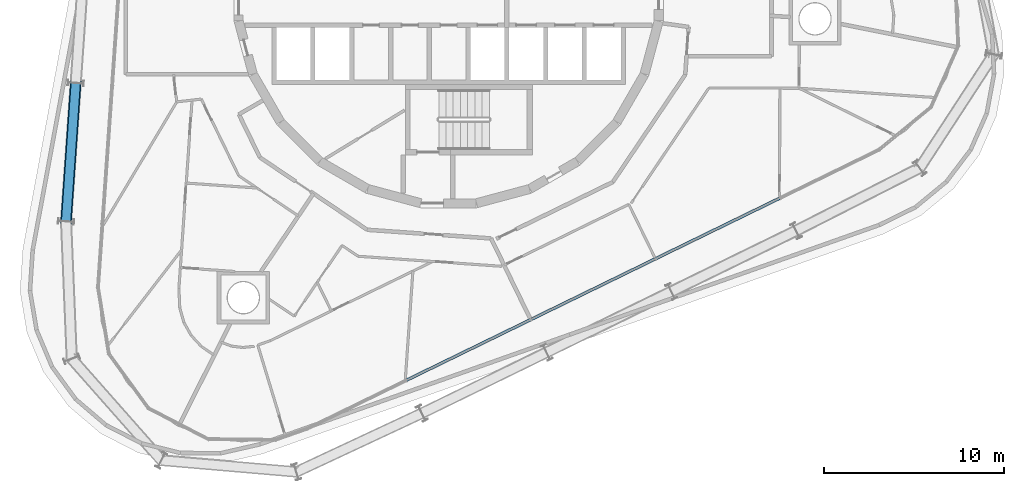
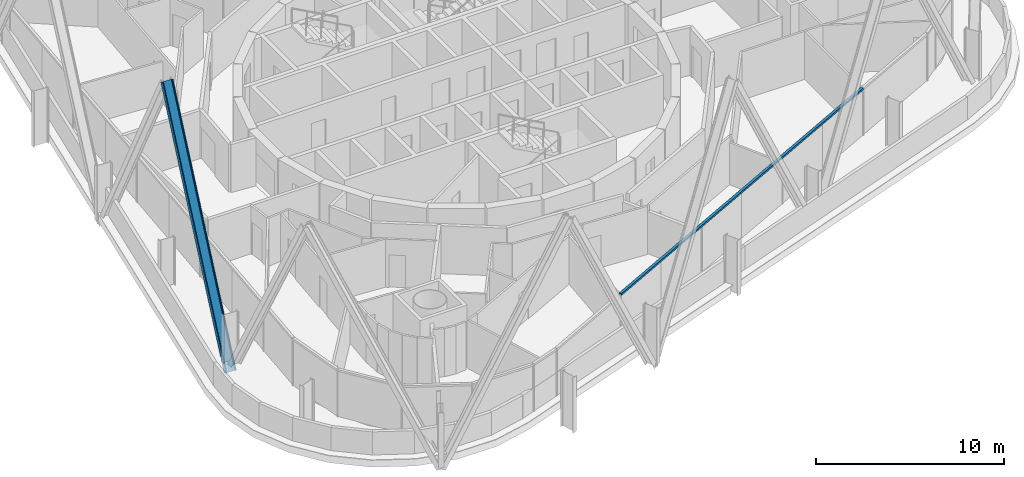
# One storey, part 3 of 18: 2 members, 1 element without a shape of its own.
"""IFC4 building model written with IfcOpenShell, lengths in metres."""

from ifc_helpers import new_model, si_unit, direction, frame, origin, origin_2d, place, context, subcontext, project, spatial, rectangle, i_section, extrude, material, layer, layer_set, material_profile, profile_set, type_object, element, aggregate, save


model = new_model("IFC4")

# Units and contexts
model_context = context("Model", 3, precision=1e-05, world=origin(), true_north=direction((0.0, 1.0)))
body_context = subcontext(model_context, "Body", "Model", "MODEL_VIEW")
ifc_project = project(units=[si_unit("LENGTHUNIT", "METRE"), si_unit("AREAUNIT", "SQUARE_METRE"), si_unit("VOLUMEUNIT", "CUBIC_METRE"), si_unit("PLANEANGLEUNIT", "RADIAN"), si_unit("MASSUNIT", "GRAM", prefix="KILO")], contexts=[model_context])

# Site, building, storey
site_placement = place(None, origin())
site = spatial("IfcSite", under=ifc_project, at=site_placement, CompositionType="ELEMENT")
building_placement = place(site_placement, origin())
building = spatial("IfcBuilding", under=site, at=building_placement, Name="Spindle Arch Residences", CompositionType="ELEMENT")
storey_placement = place(building_placement, frame((0.0, 0.0, 188.39990234375)))
storey = spatial("IfcBuildingStorey", under=building, at=storey_placement, Name="L47", CompositionType="ELEMENT", Elevation=188.39990234375)

# Curtain wall, member
ifc_material_1 = material(Name="Aluminium bronze unitised frame with tinted glass", Category="aluminium")
ifc_layer = layer(ifc_material_1, 0.159912109375)
ifc_layer_set = layer_set([ifc_layer], Name="CW-C typical residential unitised wall")
curtain_wall_type = type_object("IfcCurtainWallType", Name="CW-C typical residential unitised wall", PredefinedType="NOTDEFINED", material=ifc_layer_set)
curtain_wall_placement = place(storey_placement, origin())
curtain_wall = element("IfcCurtainWall", 1, at=curtain_wall_placement, inside=storey, type_object=curtain_wall_type, Name="CW-C L47 run 6", PredefinedType="NOTDEFINED")
ifc_material_2 = material(Name="Aluminium bronze anodised transom", Category="aluminium")
ifc_material_profile_1 = material_profile(ifc_material_2, rectangle(XDim=0.159912109375, YDim=0.1201171875, at=origin_2d()), Name="TR 120x160")
ifc_profile_set_1 = profile_set([ifc_material_profile_1], Name="Aluminium bronze anodised transom")
member_type_1 = type_object("IfcMemberType", Name="Bronze transom 120x160", PredefinedType="USERDEFINED", material=ifc_profile_set_1)
member_1_placement = place(storey_placement, frame((-2.340576171875, -21.45849609375, 3.06005859375), z_axis=(0.898793313451, 0.438372649347, 0.0), x_axis=(-0.438372649347, 0.898793313451, 0.0)))
member_1 = element("IfcMember", 2, at=member_1_placement, type_object=member_type_1, Name="CW-C transom 00", ObjectType="TRANSOM", PredefinedType="USERDEFINED", context=body_context, shape_type="SweptSolid", body=[
    extrude(rectangle(XDim=0.159912109375, YDim=0.1201171875, at=origin_2d()), origin(), (0.0, 0.0, 1.0), 23.02099609375),
])
aggregate(curtain_wall, [member_1])

# Member
ifc_material_3 = material(Name="Steel S460ML, intumescent coating R 240", Category="steel")
ifc_material_profile_2 = material_profile(ifc_material_3, i_section(OverallWidth=0.304931640625, OverallDepth=0.6201171875, WebThickness=0.02099609375, FlangeThickness=0.0400390625, FilletRadius=0.027099609375, at=origin_2d()), Name="HEM 600")
ifc_profile_set_2 = profile_set([ifc_material_profile_2], Name="Steel S460ML, intumescent coating R 240")
member_type_2 = type_object("IfcMemberType", Name="Diagrid diagonal HEM 600", PredefinedType="BRACE", material=ifc_profile_set_2)
member_2_placement = place(storey_placement, frame((-21.21533203125, -12.656005859375, -0.699951171875), z_axis=(0.033463257568, 0.478594615513, 0.877398087754), x_axis=(-0.061198121592, -0.8752612149, 0.479763061943)))
element("IfcMember", 3, at=member_2_placement, inside=storey, type_object=member_type_2, Name="Diagrid diagonal 5.1.16", PredefinedType="BRACE", context=body_context, shape_type="SweptSolid", body=[
    extrude(i_section(OverallWidth=0.304931640625, OverallDepth=0.6201171875, WebThickness=0.02099609375, FlangeThickness=0.0400390625, FilletRadius=0.027099609375, at=origin_2d()), origin(), (0.0, 0.0, 1.0), 16.0361328125),
])

save(model, "model.ifc")
